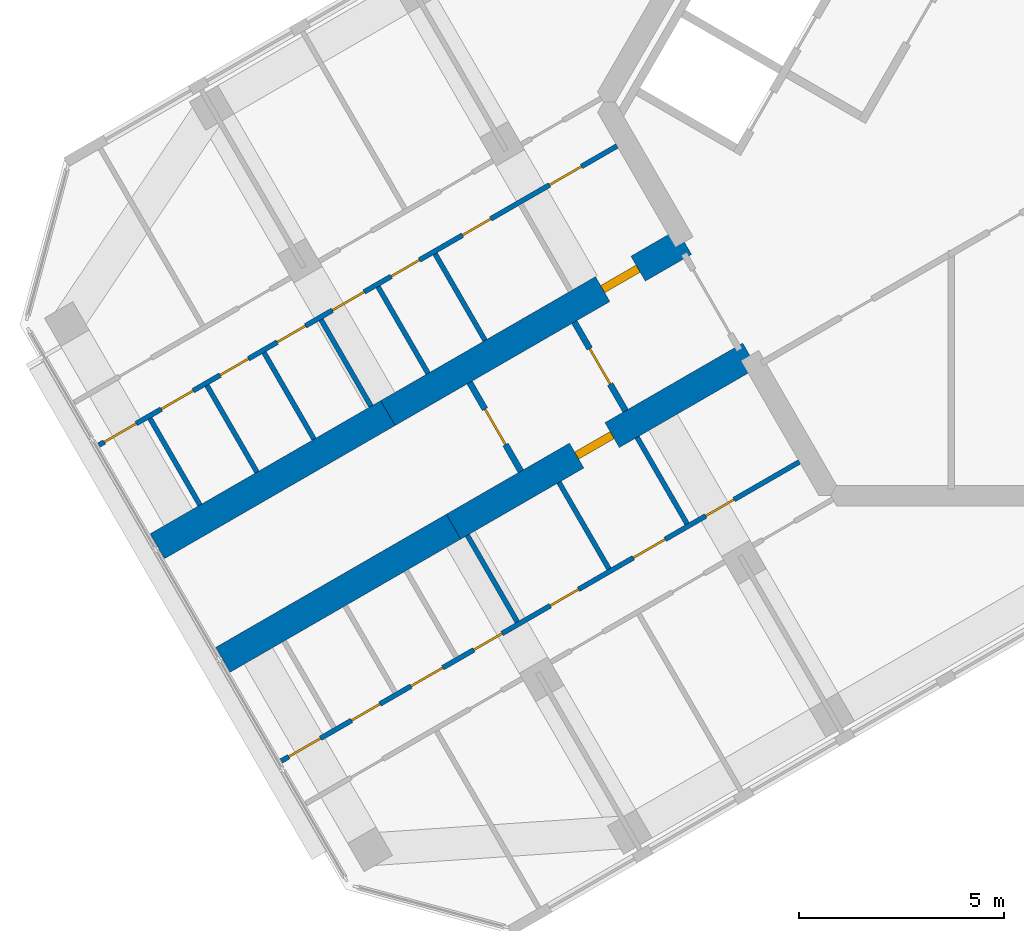
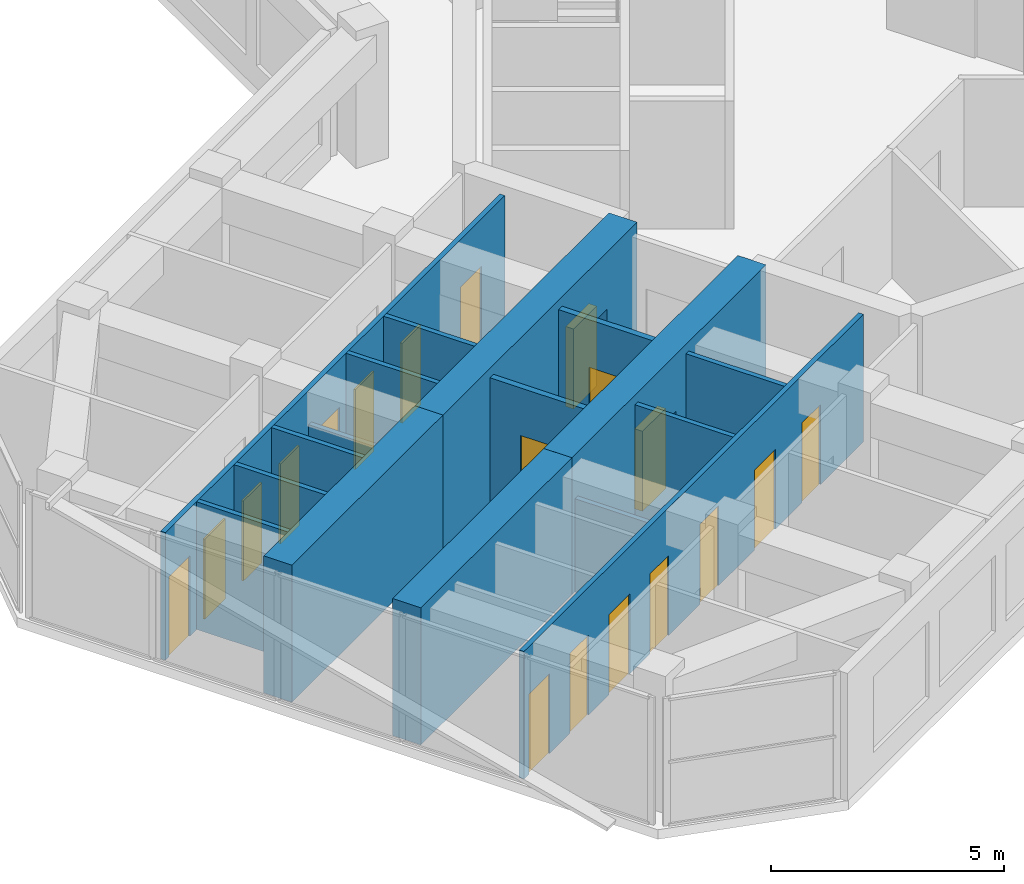
# One storey, part 7 of 14: 19 doors, 17 walls, 19 openings.
"""IFC4 building model written with IfcOpenShell, lengths in metres."""

from ifc_helpers import new_model, si_unit, direction, frame, frame_2d, origin, place, context, subcontext, project, spatial, rectangle, extrude, material, layer, layer_set, type_object, element, fill, save


model = new_model("IFC4")

# Units and contexts
model_context = context("Model", 3, precision=1e-05, world=origin(), true_north=direction((0.0, 1.0)))
body_context = subcontext(model_context, "Body", "Model", "MODEL_VIEW")
ifc_project = project(units=[si_unit("LENGTHUNIT", "METRE"), si_unit("AREAUNIT", "SQUARE_METRE"), si_unit("VOLUMEUNIT", "CUBIC_METRE"), si_unit("PLANEANGLEUNIT", "RADIAN"), si_unit("MASSUNIT", "GRAM", prefix="KILO")], contexts=[model_context])

# Site, building, storey
site_placement = place(None, origin())
site = spatial("IfcSite", under=ifc_project, at=site_placement, CompositionType="ELEMENT")
building_placement = place(site_placement, origin())
building = spatial("IfcBuilding", under=site, at=building_placement, Name="Kosmar Iwan School Tower", CompositionType="ELEMENT")
storey_placement = place(building_placement, frame((0.0, 0.0, 289.0)))
storey = spatial("IfcBuildingStorey", under=building, at=storey_placement, Name="L73", CompositionType="ELEMENT", Elevation=289.0)

# Wall, opening, door
ifc_material_1 = material(Name="Concrete C50/60", Category="concrete")
ifc_layer_1 = layer(ifc_material_1, 0.699951171875)
ifc_layer_set_1 = layer_set([ifc_layer_1], Name="Corridor buttress wall 700")
wall_type_1 = type_object("IfcWallType", Name="Corridor buttress wall 700", PredefinedType="SHEAR", material=ifc_layer_set_1)
wall_1_placement = place(storey_placement, frame((-7.513916015625, -6.185546875, 0.0), z_axis=(0.0, 0.0, 1.0), x_axis=(-0.866019549707, -0.500010139422, 0.0)))
wall_1 = element("IfcWall", 1, at=wall_1_placement, inside=storey, type_object=wall_type_1, Name="Corridor wall BL", PredefinedType="SHEAR", context=body_context, shape_type="SweptSolid", body=[
    extrude(rectangle(XDim=8.349853515625, YDim=0.699951171875, at=frame_2d((4.1748046875, 0.0))), origin(), (0.0, 0.0, 1.0), 3.60009765625),
])
opening_1_placement = place(wall_1_placement, frame((3.8798828125, 0.0, 0.0)))
opening_1 = element("IfcOpeningElement", 2, at=opening_1_placement, cuts=wall_1, Name="Opening D1", PredefinedType="OPENING", context=body_context, shape_type="SweptSolid", body=[
    extrude(rectangle(XDim=1.0, YDim=2.10009765625, at=frame_2d((0.5, 1.050048828125))), frame((0.0, 0.362060546875, 0.0), z_axis=(0.0, -1.0, 0.0), x_axis=(1.0, 0.0, 0.0)), (0.0, 0.0, 1.0), 0.723876953125),
])
ifc_material_2 = material(Name="Timber fire door in steel frame", Category="steel")
door_type_1 = type_object("IfcDoorType", Name="Flat entrance door 1000x2100", OperationType="SINGLE_SWING_LEFT", PredefinedType="DOOR", material=ifc_material_2)
door_1_placement = place(opening_1_placement, origin())
door_1 = element("IfcDoor", 3, at=door_1_placement, inside=storey, type_object=door_type_1, Name="Flat L73-BL1 entrance door", OperationType="SINGLE_SWING_LEFT", OverallHeight=2.10009765625, OverallWidth=1.0, PredefinedType="DOOR", context=body_context, shape_type="SweptSolid", body=[
    extrude(rectangle(XDim=1.0, YDim=2.10009765625, at=frame_2d((0.5, 1.050048828125))), frame((0.0, 0.10009765625, 0.0), z_axis=(0.0, -1.0, 0.0), x_axis=(1.0, 0.0, 0.0)), (0.0, 0.0, 1.0), 0.199951171875),
])
fill(opening_1, door_1)

# Wall
wall_2_placement = place(storey_placement, frame((-14.7451171875, -10.360595703125, 0.0), z_axis=(0.0, 0.0, 1.0), x_axis=(-0.866027848477, -0.499995765644, 0.0)))
element("IfcWall", 4, at=wall_2_placement, inside=storey, type_object=wall_type_1, Name="Corridor wall BL bay 2", PredefinedType="SHEAR", context=body_context, shape_type="SweptSolid", body=[
    extrude(rectangle(XDim=6.4951171875, YDim=0.699951171875, at=frame_2d((3.24755859375, 0.0))), origin(), (0.0, 0.0, 1.0), 3.60009765625),
])

# Wall, opening, door
wall_3_placement = place(storey_placement, frame((-9.11376953125, -3.414306640625, 0.0), z_axis=(0.0, 0.0, 1.0), x_axis=(-0.866026859388, -0.499997478812, 0.0)))
wall_3 = element("IfcWall", 5, at=wall_3_placement, inside=storey, type_object=wall_type_1, Name="Corridor wall BR", PredefinedType="SHEAR", context=body_context, shape_type="SweptSolid", body=[
    extrude(rectangle(XDim=8.35009765625, YDim=0.699951171875, at=frame_2d((4.175048828125, 0.0))), origin(), (0.0, 0.0, 1.0), 3.60009765625),
])
opening_2_placement = place(wall_3_placement, frame((1.300048828125, 0.0, 0.0)))
opening_2 = element("IfcOpeningElement", 6, at=opening_2_placement, cuts=wall_3, Name="Opening D1", PredefinedType="OPENING", context=body_context, shape_type="SweptSolid", body=[
    extrude(rectangle(XDim=1.0, YDim=2.10009765625, at=frame_2d((0.5, 1.050048828125))), frame((0.0, 0.362060546875, 0.0), z_axis=(0.0, -1.0, 0.0), x_axis=(1.0, 0.0, 0.0)), (0.0, 0.0, 1.0), 0.723876953125),
])
door_2_placement = place(opening_2_placement, origin())
door_2 = element("IfcDoor", 7, at=door_2_placement, inside=storey, type_object=door_type_1, Name="Flat L73-BR1 entrance door", OperationType="SINGLE_SWING_RIGHT", OverallHeight=2.10009765625, OverallWidth=1.0, PredefinedType="DOOR", context=body_context, shape_type="SweptSolid", body=[
    extrude(rectangle(XDim=1.0, YDim=2.10009765625, at=frame_2d((0.5, 1.050048828125))), frame((0.0, 0.10009765625, 0.0), z_axis=(0.0, -1.0, 0.0), x_axis=(1.0, 0.0, 0.0)), (0.0, 0.0, 1.0), 0.199951171875),
])
fill(opening_2, door_2)

# Wall
wall_4_placement = place(storey_placement, frame((-16.34521484375, -7.58935546875, 0.0), z_axis=(0.0, 0.0, 1.0), x_axis=(-0.866018451174, -0.500012042081, 0.0)))
element("IfcWall", 8, at=wall_4_placement, inside=storey, type_object=wall_type_1, Name="Corridor wall BR bay 2", PredefinedType="SHEAR", context=body_context, shape_type="SweptSolid", body=[
    extrude(rectangle(XDim=6.494873046875, YDim=0.699951171875, at=frame_2d((3.24755859375, 0.0))), origin(), (0.0, 0.0, 1.0), 3.60009765625),
])

# Wall, opening, door
ifc_material_3 = material(Name="Gypsum board on steel studs, fire-rated", Category="steel")
ifc_layer_2 = layer(ifc_material_3, 0.14990234375)
ifc_layer_set_2 = layer_set([ifc_layer_2], Name="Corridor end wall 150")
wall_type_2 = type_object("IfcWallType", Name="Corridor end wall 150", PredefinedType="PARTITIONING", material=ifc_layer_set_2)
wall_5_placement = place(storey_placement, frame((-14.3515625, -6.842529296875, 0.0), z_axis=(0.0, 0.0, 1.0), x_axis=(0.500004234368, -0.866022959057, 0.0)))
wall_5 = element("IfcWall", 9, at=wall_5_placement, inside=storey, type_object=wall_type_2, Name="Partition L73-B-CE", PredefinedType="PARTITIONING", context=body_context, shape_type="SweptSolid", body=[
    extrude(rectangle(XDim=2.5, YDim=0.14990234375, at=frame_2d((1.25, 0.0))), origin(), (0.0, 0.0, 1.0), 3.35009765625),
])
opening_3_placement = place(wall_5_placement, frame((0.75, 0.0, 0.0)))
opening_3 = element("IfcOpeningElement", 10, at=opening_3_placement, cuts=wall_5, Name="Opening D13", PredefinedType="OPENING", context=body_context, shape_type="SweptSolid", body=[
    extrude(rectangle(XDim=1.0, YDim=2.10009765625, at=frame_2d((0.5, 1.050048828125))), frame((0.0, 0.0869140625, 0.0), z_axis=(0.0, -1.0, 0.0), x_axis=(1.0, 0.0, 0.0)), (0.0, 0.0, 1.0), 0.173828125),
])
ifc_material_4 = material(Name="Timber fire door with vision panel", Category="wood")
door_type_2 = type_object("IfcDoorType", Name="Corridor end door 1000x2100", OperationType="SINGLE_SWING_LEFT", PredefinedType="DOOR", material=ifc_material_4)
door_3_placement = place(opening_3_placement, origin())
door_3 = element("IfcDoor", 11, at=door_3_placement, inside=storey, type_object=door_type_2, Name="Prayer room door L73-B", OperationType="SINGLE_SWING_RIGHT", OverallHeight=2.10009765625, OverallWidth=1.0, PredefinedType="DOOR", context=body_context, shape_type="SweptSolid", body=[
    extrude(rectangle(XDim=1.0, YDim=2.10009765625, at=frame_2d((0.5, 1.050048828125))), frame((0.0, 0.02490234375, 0.0), z_axis=(0.0, -1.0, 0.0), x_axis=(1.0, 0.0, 0.0)), (0.0, 0.0, 1.0), 0.050048828125),
])
fill(opening_3, door_3)

wall_6_placement = place(storey_placement, frame((-11.796630859375, -5.367431640625, 0.0), z_axis=(0.0, 0.0, 1.0), x_axis=(0.500004234368, -0.866022959057, 0.0)))
wall_6 = element("IfcWall", 12, at=wall_6_placement, inside=storey, type_object=wall_type_2, Name="Partition L73-B-HW", PredefinedType="PARTITIONING", context=body_context, shape_type="SweptSolid", body=[
    extrude(rectangle(XDim=2.5, YDim=0.14990234375, at=frame_2d((1.25, 0.0))), origin(), (0.0, 0.0, 1.0), 3.35009765625),
])
opening_4_placement = place(wall_6_placement, frame((0.75, 0.0, 0.0)))
opening_4 = element("IfcOpeningElement", 13, at=opening_4_placement, cuts=wall_6, Name="Opening D13", PredefinedType="OPENING", context=body_context, shape_type="SweptSolid", body=[
    extrude(rectangle(XDim=1.0, YDim=2.10009765625, at=frame_2d((0.5, 1.050048828125))), frame((0.0, 0.0869140625, 0.0), z_axis=(0.0, -1.0, 0.0), x_axis=(1.0, 0.0, 0.0)), (0.0, 0.0, 1.0), 0.173828125),
])
door_4_placement = place(opening_4_placement, origin())
door_4 = element("IfcDoor", 14, at=door_4_placement, inside=storey, type_object=door_type_2, Name="Entrance door L73-B", OperationType="SINGLE_SWING_LEFT", OverallHeight=2.10009765625, OverallWidth=1.0, PredefinedType="DOOR", context=body_context, shape_type="SweptSolid", body=[
    extrude(rectangle(XDim=1.0, YDim=2.10009765625, at=frame_2d((0.5, 1.050048828125))), frame((0.0, 0.02490234375, 0.0), z_axis=(0.0, -1.0, 0.0), x_axis=(1.0, 0.0, 0.0)), (0.0, 0.0, 1.0), 0.050048828125),
])
fill(opening_4, door_4)

# Wall, openings, doors
ifc_material_5 = material(Name="Gypsum board on steel studs", Category="steel")
ifc_layer_3 = layer(ifc_material_5, 0.1201171875)
ifc_layer_set_3 = layer_set([ifc_layer_3], Name="Dwelling partition 120")
wall_type_3 = type_object("IfcWallType", Name="Dwelling partition 120", PredefinedType="PARTITIONING", material=ifc_layer_set_3)
wall_7_placement = place(storey_placement, frame((-6.305419921875, -8.77880859375, 0.0), z_axis=(0.0, 0.0, 1.0), x_axis=(-0.866022348096, -0.50000529257, 0.0)))
wall_7 = element("IfcWall", 15, at=wall_7_placement, inside=storey, type_object=wall_type_3, Name="Partition L73-BL1-W1", PredefinedType="PARTITIONING", context=body_context, shape_type="SweptSolid", body=[
    extrude(rectangle(XDim=14.594970703125, YDim=0.1201171875, at=frame_2d((7.29736328125, 0.0))), origin(), (0.0, 0.0, 1.0), 3.35009765625),
])
opening_5_placement = place(wall_7_placement, frame((1.840087890625, 0.0, 0.0)))
opening_5 = element("IfcOpeningElement", 16, at=opening_5_placement, cuts=wall_7, Name="Opening D3", PredefinedType="OPENING", context=body_context, shape_type="SweptSolid", body=[
    extrude(rectangle(XDim=0.800048828125, YDim=2.10009765625, at=frame_2d((0.39990234375, 1.050048828125))), frame((0.0, 0.072021484375, 0.0), z_axis=(0.0, -1.0, 0.0), x_axis=(1.0, 0.0, 0.0)), (0.0, 0.0, 1.0), 0.14404296875),
])
opening_6_placement = place(wall_7_placement, frame((3.780029296875, 0.0, 0.0)))
opening_6 = element("IfcOpeningElement", 17, at=opening_6_placement, cuts=wall_7, Name="Opening D2", PredefinedType="OPENING", context=body_context, shape_type="SweptSolid", body=[
    extrude(rectangle(XDim=0.89990234375, YDim=2.10009765625, at=frame_2d((0.449951171875, 1.050048828125))), frame((0.0, 0.072021484375, 0.0), z_axis=(0.0, -1.0, 0.0), x_axis=(1.0, 0.0, 0.0)), (0.0, 0.0, 1.0), 0.14404296875),
])
opening_7_placement = place(wall_7_placement, frame((6.221435546875, 0.0, 0.0)))
opening_7 = element("IfcOpeningElement", 18, at=opening_7_placement, cuts=wall_7, Name="Opening D3", PredefinedType="OPENING", context=body_context, shape_type="SweptSolid", body=[
    extrude(rectangle(XDim=0.800048828125, YDim=2.10009765625, at=frame_2d((0.39990234375, 1.050048828125))), frame((0.0, 0.072021484375, 0.0), z_axis=(0.0, -1.0, 0.0), x_axis=(1.0, 0.0, 0.0)), (0.0, 0.0, 1.0), 0.14404296875),
])
opening_8_placement = place(wall_7_placement, frame((8.37353515625, 0.0, 0.0)))
opening_8 = element("IfcOpeningElement", 19, at=opening_8_placement, cuts=wall_7, Name="Opening D3", PredefinedType="OPENING", context=body_context, shape_type="SweptSolid", body=[
    extrude(rectangle(XDim=0.800048828125, YDim=2.10009765625, at=frame_2d((0.39990234375, 1.050048828125))), frame((0.0, 0.072021484375, 0.0), z_axis=(0.0, -1.0, 0.0), x_axis=(1.0, 0.0, 0.0)), (0.0, 0.0, 1.0), 0.14404296875),
])
opening_9_placement = place(wall_7_placement, frame((10.04541015625, 0.0, 0.0)))
opening_9 = element("IfcOpeningElement", 20, at=opening_9_placement, cuts=wall_7, Name="Opening D2", PredefinedType="OPENING", context=body_context, shape_type="SweptSolid", body=[
    extrude(rectangle(XDim=0.89990234375, YDim=2.10009765625, at=frame_2d((0.449951171875, 1.050048828125))), frame((0.0, 0.072021484375, 0.0), z_axis=(0.0, -1.0, 0.0), x_axis=(1.0, 0.0, 0.0)), (0.0, 0.0, 1.0), 0.14404296875),
])
opening_10_placement = place(wall_7_placement, frame((11.8173828125, 0.0, 0.0)))
opening_10 = element("IfcOpeningElement", 21, at=opening_10_placement, cuts=wall_7, Name="Opening D3", PredefinedType="OPENING", context=body_context, shape_type="SweptSolid", body=[
    extrude(rectangle(XDim=0.800048828125, YDim=2.10009765625, at=frame_2d((0.39990234375, 1.050048828125))), frame((0.0, 0.072021484375, 0.0), z_axis=(0.0, -1.0, 0.0), x_axis=(1.0, 0.0, 0.0)), (0.0, 0.0, 1.0), 0.14404296875),
])
opening_11_placement = place(wall_7_placement, frame((13.489013671875, 0.0, 0.0)))
opening_11 = element("IfcOpeningElement", 22, at=opening_11_placement, cuts=wall_7, Name="Opening D2", PredefinedType="OPENING", context=body_context, shape_type="SweptSolid", body=[
    extrude(rectangle(XDim=0.89990234375, YDim=2.10009765625, at=frame_2d((0.449951171875, 1.050048828125))), frame((0.0, 0.072021484375, 0.0), z_axis=(0.0, -1.0, 0.0), x_axis=(1.0, 0.0, 0.0)), (0.0, 0.0, 1.0), 0.14404296875),
])
ifc_material_6 = material(Name="Timber door in timber frame", Category="wood")
door_type_3 = type_object("IfcDoorType", Name="Internal door 900x2100", OperationType="SINGLE_SWING_LEFT", PredefinedType="DOOR", material=ifc_material_6)
door_5_placement = place(opening_6_placement, origin())
door_5 = element("IfcDoor", 23, at=door_5_placement, inside=storey, type_object=door_type_3, Name="Entrance hall door L73-BL1-S2", OperationType="SINGLE_SWING_LEFT", OverallHeight=2.10009765625, OverallWidth=0.89990234375, PredefinedType="DOOR", context=body_context, shape_type="SweptSolid", body=[
    extrude(rectangle(XDim=0.89990234375, YDim=2.10009765625, at=frame_2d((0.449951171875, 1.050048828125))), frame((0.0, 0.02490234375, 0.0), z_axis=(0.0, -1.0, 0.0), x_axis=(1.0, 0.0, 0.0)), (0.0, 0.0, 1.0), 0.050048828125),
])
fill(opening_6, door_5)
door_6_placement = place(opening_9_placement, origin())
door_6 = element("IfcDoor", 24, at=door_6_placement, inside=storey, type_object=door_type_3, Name="Pantry door L73-BL1-S5", OperationType="SINGLE_SWING_RIGHT", OverallHeight=2.10009765625, OverallWidth=0.89990234375, PredefinedType="DOOR", context=body_context, shape_type="SweptSolid", body=[
    extrude(rectangle(XDim=0.89990234375, YDim=2.10009765625, at=frame_2d((0.449951171875, 1.050048828125))), frame((0.0, 0.02490234375, 0.0), z_axis=(0.0, -1.0, 0.0), x_axis=(1.0, 0.0, 0.0)), (0.0, 0.0, 1.0), 0.050048828125),
])
fill(opening_9, door_6)
door_7_placement = place(opening_11_placement, origin())
door_7 = element("IfcDoor", 25, at=door_7_placement, inside=storey, type_object=door_type_3, Name="Utility room door L73-BL1-S7", OperationType="SINGLE_SWING_RIGHT", OverallHeight=2.10009765625, OverallWidth=0.89990234375, PredefinedType="DOOR", context=body_context, shape_type="SweptSolid", body=[
    extrude(rectangle(XDim=0.89990234375, YDim=2.10009765625, at=frame_2d((0.449951171875, 1.050048828125))), frame((0.0, 0.02490234375, 0.0), z_axis=(0.0, -1.0, 0.0), x_axis=(1.0, 0.0, 0.0)), (0.0, 0.0, 1.0), 0.050048828125),
])
fill(opening_11, door_7)
ifc_material_7 = material(Name="Timber door in timber frame", Category="wood")
door_type_4 = type_object("IfcDoorType", Name="Sanitary room door 800x2100", OperationType="SINGLE_SWING_LEFT", PredefinedType="DOOR", material=ifc_material_7)
door_8_placement = place(opening_5_placement, origin())
door_8 = element("IfcDoor", 26, at=door_8_placement, inside=storey, type_object=door_type_4, Name="Store door L73-BL1-S1", OperationType="SINGLE_SWING_LEFT", OverallHeight=2.10009765625, OverallWidth=0.800048828125, PredefinedType="DOOR", context=body_context, shape_type="SweptSolid", body=[
    extrude(rectangle(XDim=0.800048828125, YDim=2.10009765625, at=frame_2d((0.39990234375, 1.050048828125))), frame((0.0, 0.02490234375, 0.0), z_axis=(0.0, -1.0, 0.0), x_axis=(1.0, 0.0, 0.0)), (0.0, 0.0, 1.0), 0.050048828125),
])
fill(opening_5, door_8)
door_9_placement = place(opening_7_placement, origin())
door_9 = element("IfcDoor", 27, at=door_9_placement, inside=storey, type_object=door_type_4, Name="Bathroom door L73-BL1-S3", OperationType="SINGLE_SWING_LEFT", OverallHeight=2.10009765625, OverallWidth=0.800048828125, PredefinedType="DOOR", context=body_context, shape_type="SweptSolid", body=[
    extrude(rectangle(XDim=0.800048828125, YDim=2.10009765625, at=frame_2d((0.39990234375, 1.050048828125))), frame((0.0, 0.02490234375, 0.0), z_axis=(0.0, -1.0, 0.0), x_axis=(1.0, 0.0, 0.0)), (0.0, 0.0, 1.0), 0.050048828125),
])
fill(opening_7, door_9)
door_10_placement = place(opening_8_placement, origin())
door_10 = element("IfcDoor", 28, at=door_10_placement, inside=storey, type_object=door_type_4, Name="Shower room door L73-BL1-S4", OperationType="SINGLE_SWING_RIGHT", OverallHeight=2.10009765625, OverallWidth=0.800048828125, PredefinedType="DOOR", context=body_context, shape_type="SweptSolid", body=[
    extrude(rectangle(XDim=0.800048828125, YDim=2.10009765625, at=frame_2d((0.39990234375, 1.050048828125))), frame((0.0, 0.02490234375, 0.0), z_axis=(0.0, -1.0, 0.0), x_axis=(1.0, 0.0, 0.0)), (0.0, 0.0, 1.0), 0.050048828125),
])
fill(opening_8, door_10)
door_11_placement = place(opening_10_placement, origin())
door_11 = element("IfcDoor", 29, at=door_11_placement, inside=storey, type_object=door_type_4, Name="WC door L73-BL1-S6", OperationType="SINGLE_SWING_RIGHT", OverallHeight=2.10009765625, OverallWidth=0.800048828125, PredefinedType="DOOR", context=body_context, shape_type="SweptSolid", body=[
    extrude(rectangle(XDim=0.800048828125, YDim=2.10009765625, at=frame_2d((0.39990234375, 1.050048828125))), frame((0.0, 0.02490234375, 0.0), z_axis=(0.0, -1.0, 0.0), x_axis=(1.0, 0.0, 0.0)), (0.0, 0.0, 1.0), 0.050048828125),
])
fill(opening_10, door_11)

# Walls
for number, where, z_axis, x_axis, name in (
    (30, (-10.26611328125, -8.1787109375, 0.0), (0.0, 0.0, 1.0), (0.500077547548, -0.865980627057, 0.0), "Partition L73-BL1-Y1"),
    (31, (-12.17138671875, -9.27880859375, 0.0), (0.0, 0.0, 1.0), (0.500077547548, -0.865980627057, 0.0), "Partition L73-BL1-Y2"),
):
    element("IfcWall", number, at=place(storey_placement, frame(where, z_axis=z_axis, x_axis=x_axis)), inside=storey, type_object=wall_type_3, Name=name, PredefinedType="PARTITIONING", context=body_context, shape_type="SweptSolid", body=[
        extrude(rectangle(XDim=2.43994140625, YDim=0.1201171875, at=frame_2d((1.219970703125, 0.0))), origin(), (0.0, 0.0, 1.0), 3.35009765625),
    ])
wall_8_placement = place(storey_placement, frame((-14.407958984375, -10.570068359375, 0.0), z_axis=(0.0, 0.0, 1.0), x_axis=(0.500002508028, -0.866023955769, 0.0)))
element("IfcWall", 32, at=wall_8_placement, inside=storey, type_object=wall_type_3, Name="Partition L73-BL1-Y3", PredefinedType="PARTITIONING", context=body_context, shape_type="SweptSolid", body=[
    extrude(rectangle(XDim=2.43994140625, YDim=0.1201171875, at=frame_2d((1.219970703125, 0.0))), origin(), (0.0, 0.0, 1.0), 2.449951171875),
])

# Wall, openings, doors
wall_9_placement = place(storey_placement, frame((-10.75537109375, -1.0712890625, 0.0), z_axis=(0.0, 0.0, 1.0), x_axis=(-0.866029591389, -0.499992746786, 0.0)))
wall_9 = element("IfcWall", 33, at=wall_9_placement, inside=storey, type_object=wall_type_3, Name="Partition L73-BR1-W1", PredefinedType="PARTITIONING", context=body_context, shape_type="SweptSolid", body=[
    extrude(rectangle(XDim=14.594970703125, YDim=0.1201171875, at=frame_2d((7.29736328125, 0.0))), origin(), (0.0, 0.0, 1.0), 3.35009765625),
])
opening_12_placement = place(wall_9_placement, frame((1.0, 0.0, 0.0)))
opening_12 = element("IfcOpeningElement", 34, at=opening_12_placement, cuts=wall_9, Name="Opening D2", PredefinedType="OPENING", context=body_context, shape_type="SweptSolid", body=[
    extrude(rectangle(XDim=0.89990234375, YDim=2.10009765625, at=frame_2d((0.449951171875, 1.050048828125))), frame((0.0, 0.072021484375, 0.0), z_axis=(0.0, -1.0, 0.0), x_axis=(1.0, 0.0, 0.0)), (0.0, 0.0, 1.0), 0.14404296875),
])
opening_13_placement = place(wall_9_placement, frame((3.554931640625, 0.0, 0.0)))
opening_13 = element("IfcOpeningElement", 35, at=opening_13_placement, cuts=wall_9, Name="Opening D3", PredefinedType="OPENING", context=body_context, shape_type="SweptSolid", body=[
    extrude(rectangle(XDim=0.800048828125, YDim=2.10009765625, at=frame_2d((0.39990234375, 1.050048828125))), frame((0.0, 0.072021484375, 0.0), z_axis=(0.0, -1.0, 0.0), x_axis=(1.0, 0.0, 0.0)), (0.0, 0.0, 1.0), 0.14404296875),
])
opening_14_placement = place(wall_9_placement, frame((5.563232421875, 0.0, 0.0)))
opening_14 = element("IfcOpeningElement", 36, at=opening_14_placement, cuts=wall_9, Name="Opening D3", PredefinedType="OPENING", context=body_context, shape_type="SweptSolid", body=[
    extrude(rectangle(XDim=0.800048828125, YDim=2.10009765625, at=frame_2d((0.39990234375, 1.050048828125))), frame((0.0, 0.072021484375, 0.0), z_axis=(0.0, -1.0, 0.0), x_axis=(1.0, 0.0, 0.0)), (0.0, 0.0, 1.0), 0.14404296875),
])
opening_15_placement = place(wall_9_placement, frame((7.1201171875, 0.0, 0.0)))
opening_15 = element("IfcOpeningElement", 37, at=opening_15_placement, cuts=wall_9, Name="Opening D2", PredefinedType="OPENING", context=body_context, shape_type="SweptSolid", body=[
    extrude(rectangle(XDim=0.89990234375, YDim=2.10009765625, at=frame_2d((0.449951171875, 1.050048828125))), frame((0.0, 0.072021484375, 0.0), z_axis=(0.0, -1.0, 0.0), x_axis=(1.0, 0.0, 0.0)), (0.0, 0.0, 1.0), 0.14404296875),
])
opening_16_placement = place(wall_9_placement, frame((8.776611328125, 0.0, 0.0)))
opening_16 = element("IfcOpeningElement", 38, at=opening_16_placement, cuts=wall_9, Name="Opening D3", PredefinedType="OPENING", context=body_context, shape_type="SweptSolid", body=[
    extrude(rectangle(XDim=0.800048828125, YDim=2.10009765625, at=frame_2d((0.39990234375, 1.050048828125))), frame((0.0, 0.072021484375, 0.0), z_axis=(0.0, -1.0, 0.0), x_axis=(1.0, 0.0, 0.0)), (0.0, 0.0, 1.0), 0.14404296875),
])
opening_17_placement = place(wall_9_placement, frame((10.38330078125, 0.0, 0.0)))
opening_17 = element("IfcOpeningElement", 39, at=opening_17_placement, cuts=wall_9, Name="Opening D3", PredefinedType="OPENING", context=body_context, shape_type="SweptSolid", body=[
    extrude(rectangle(XDim=0.800048828125, YDim=2.10009765625, at=frame_2d((0.39990234375, 1.050048828125))), frame((0.0, 0.072021484375, 0.0), z_axis=(0.0, -1.0, 0.0), x_axis=(1.0, 0.0, 0.0)), (0.0, 0.0, 1.0), 0.14404296875),
])
opening_18_placement = place(wall_9_placement, frame((11.93994140625, 0.0, 0.0)))
opening_18 = element("IfcOpeningElement", 40, at=opening_18_placement, cuts=wall_9, Name="Opening D2", PredefinedType="OPENING", context=body_context, shape_type="SweptSolid", body=[
    extrude(rectangle(XDim=0.89990234375, YDim=2.10009765625, at=frame_2d((0.449951171875, 1.050048828125))), frame((0.0, 0.072021484375, 0.0), z_axis=(0.0, -1.0, 0.0), x_axis=(1.0, 0.0, 0.0)), (0.0, 0.0, 1.0), 0.14404296875),
])
opening_19_placement = place(wall_9_placement, frame((13.546630859375, 0.0, 0.0)))
opening_19 = element("IfcOpeningElement", 41, at=opening_19_placement, cuts=wall_9, Name="Opening D2", PredefinedType="OPENING", context=body_context, shape_type="SweptSolid", body=[
    extrude(rectangle(XDim=0.89990234375, YDim=2.10009765625, at=frame_2d((0.449951171875, 1.050048828125))), frame((0.0, 0.072021484375, 0.0), z_axis=(0.0, -1.0, 0.0), x_axis=(1.0, 0.0, 0.0)), (0.0, 0.0, 1.0), 0.14404296875),
])
door_12_placement = place(opening_12_placement, origin())
door_12 = element("IfcDoor", 42, at=door_12_placement, inside=storey, type_object=door_type_3, Name="Entrance hall door L73-BR1-S1", OperationType="SINGLE_SWING_RIGHT", OverallHeight=2.10009765625, OverallWidth=0.89990234375, PredefinedType="DOOR", context=body_context, shape_type="SweptSolid", body=[
    extrude(rectangle(XDim=0.89990234375, YDim=2.10009765625, at=frame_2d((0.449951171875, 1.050048828125))), frame((0.0, 0.02490234375, 0.0), z_axis=(0.0, -1.0, 0.0), x_axis=(1.0, 0.0, 0.0)), (0.0, 0.0, 1.0), 0.050048828125),
])
fill(opening_12, door_12)
door_13_placement = place(opening_15_placement, origin())
door_13 = element("IfcDoor", 43, at=door_13_placement, inside=storey, type_object=door_type_3, Name="Pantry door L73-BR1-S4", OperationType="SINGLE_SWING_LEFT", OverallHeight=2.10009765625, OverallWidth=0.89990234375, PredefinedType="DOOR", context=body_context, shape_type="SweptSolid", body=[
    extrude(rectangle(XDim=0.89990234375, YDim=2.10009765625, at=frame_2d((0.449951171875, 1.050048828125))), frame((0.0, 0.02490234375, 0.0), z_axis=(0.0, -1.0, 0.0), x_axis=(1.0, 0.0, 0.0)), (0.0, 0.0, 1.0), 0.050048828125),
])
fill(opening_15, door_13)
door_14_placement = place(opening_18_placement, origin())
door_14 = element("IfcDoor", 44, at=door_14_placement, inside=storey, type_object=door_type_3, Name="Utility room door L73-BR1-S7", OperationType="SINGLE_SWING_RIGHT", OverallHeight=2.10009765625, OverallWidth=0.89990234375, PredefinedType="DOOR", context=body_context, shape_type="SweptSolid", body=[
    extrude(rectangle(XDim=0.89990234375, YDim=2.10009765625, at=frame_2d((0.449951171875, 1.050048828125))), frame((0.0, 0.02490234375, 0.0), z_axis=(0.0, -1.0, 0.0), x_axis=(1.0, 0.0, 0.0)), (0.0, 0.0, 1.0), 0.050048828125),
])
fill(opening_18, door_14)
door_15_placement = place(opening_19_placement, origin())
door_15 = element("IfcDoor", 45, at=door_15_placement, inside=storey, type_object=door_type_3, Name="Dressing room door L73-BR1-S8", OperationType="SINGLE_SWING_RIGHT", OverallHeight=2.10009765625, OverallWidth=0.89990234375, PredefinedType="DOOR", context=body_context, shape_type="SweptSolid", body=[
    extrude(rectangle(XDim=0.89990234375, YDim=2.10009765625, at=frame_2d((0.449951171875, 1.050048828125))), frame((0.0, 0.02490234375, 0.0), z_axis=(0.0, -1.0, 0.0), x_axis=(1.0, 0.0, 0.0)), (0.0, 0.0, 1.0), 0.050048828125),
])
fill(opening_19, door_15)
door_16_placement = place(opening_13_placement, origin())
door_16 = element("IfcDoor", 46, at=door_16_placement, inside=storey, type_object=door_type_4, Name="Bathroom door L73-BR1-S2", OperationType="SINGLE_SWING_LEFT", OverallHeight=2.10009765625, OverallWidth=0.800048828125, PredefinedType="DOOR", context=body_context, shape_type="SweptSolid", body=[
    extrude(rectangle(XDim=0.800048828125, YDim=2.10009765625, at=frame_2d((0.39990234375, 1.050048828125))), frame((0.0, 0.02490234375, 0.0), z_axis=(0.0, -1.0, 0.0), x_axis=(1.0, 0.0, 0.0)), (0.0, 0.0, 1.0), 0.050048828125),
])
fill(opening_13, door_16)
door_17_placement = place(opening_14_placement, origin())
door_17 = element("IfcDoor", 47, at=door_17_placement, inside=storey, type_object=door_type_4, Name="Shower room door L73-BR1-S3", OperationType="SINGLE_SWING_RIGHT", OverallHeight=2.10009765625, OverallWidth=0.800048828125, PredefinedType="DOOR", context=body_context, shape_type="SweptSolid", body=[
    extrude(rectangle(XDim=0.800048828125, YDim=2.10009765625, at=frame_2d((0.39990234375, 1.050048828125))), frame((0.0, 0.02490234375, 0.0), z_axis=(0.0, -1.0, 0.0), x_axis=(1.0, 0.0, 0.0)), (0.0, 0.0, 1.0), 0.050048828125),
])
fill(opening_14, door_17)
door_18_placement = place(opening_16_placement, origin())
door_18 = element("IfcDoor", 48, at=door_18_placement, inside=storey, type_object=door_type_4, Name="WC door L73-BR1-S5", OperationType="SINGLE_SWING_RIGHT", OverallHeight=2.10009765625, OverallWidth=0.800048828125, PredefinedType="DOOR", context=body_context, shape_type="SweptSolid", body=[
    extrude(rectangle(XDim=0.800048828125, YDim=2.10009765625, at=frame_2d((0.39990234375, 1.050048828125))), frame((0.0, 0.02490234375, 0.0), z_axis=(0.0, -1.0, 0.0), x_axis=(1.0, 0.0, 0.0)), (0.0, 0.0, 1.0), 0.050048828125),
])
fill(opening_16, door_18)
door_19_placement = place(opening_17_placement, origin())
door_19 = element("IfcDoor", 49, at=door_19_placement, inside=storey, type_object=door_type_4, Name="Store door L73-BR1-S6", OperationType="SINGLE_SWING_LEFT", OverallHeight=2.10009765625, OverallWidth=0.800048828125, PredefinedType="DOOR", context=body_context, shape_type="SweptSolid", body=[
    extrude(rectangle(XDim=0.800048828125, YDim=2.10009765625, at=frame_2d((0.39990234375, 1.050048828125))), frame((0.0, 0.02490234375, 0.0), z_axis=(0.0, -1.0, 0.0), x_axis=(1.0, 0.0, 0.0)), (0.0, 0.0, 1.0), 0.050048828125),
])
fill(opening_17, door_19)

# Walls
for number, where, z_axis, x_axis, name in (
    (50, (-13.97412109375, -5.816162109375, 0.0), (0.0, 0.0, 1.0), (-0.500002508028, 0.866023955769, 0.0), "Partition L73-BR1-Y2"),
    (51, (-15.365478515625, -6.61962890625, 0.0), (0.0, 0.0, 1.0), (-0.500002508028, 0.866023955769, 0.0), "Partition L73-BR1-Y3"),
):
    element("IfcWall", number, at=place(storey_placement, frame(where, z_axis=z_axis, x_axis=x_axis)), inside=storey, type_object=wall_type_3, Name=name, PredefinedType="PARTITIONING", context=body_context, shape_type="SweptSolid", body=[
        extrude(rectangle(XDim=2.43994140625, YDim=0.1201171875, at=frame_2d((1.219970703125, 0.0))), origin(), (0.0, 0.0, 1.0), 3.35009765625),
    ])
wall_10_placement = place(storey_placement, frame((-16.7568359375, -7.4228515625, 0.0), z_axis=(0.0, 0.0, 1.0), x_axis=(-0.500002508028, 0.866023955769, 0.0)))
element("IfcWall", 52, at=wall_10_placement, inside=storey, type_object=wall_type_3, Name="Partition L73-BR1-Y4", PredefinedType="PARTITIONING", context=body_context, shape_type="SweptSolid", body=[
    extrude(rectangle(XDim=2.43994140625, YDim=0.1201171875, at=frame_2d((1.219970703125, 0.0))), origin(), (0.0, 0.0, 1.0), 2.449951171875),
])
wall_11_placement = place(storey_placement, frame((-18.148193359375, -8.226318359375, 0.0), z_axis=(0.0, 0.0, 1.0), x_axis=(-0.500034220881, 0.866005645448, 0.0)))
element("IfcWall", 53, at=wall_11_placement, inside=storey, type_object=wall_type_3, Name="Partition L73-BR1-Y5", PredefinedType="PARTITIONING", context=body_context, shape_type="SweptSolid", body=[
    extrude(rectangle(XDim=2.440185546875, YDim=0.1201171875, at=frame_2d((1.22021484375, 0.0))), origin(), (0.0, 0.0, 1.0), 3.35009765625),
])
wall_12_placement = place(storey_placement, frame((-19.539794921875, -9.029541015625, 0.0), z_axis=(0.0, 0.0, 1.0), x_axis=(-0.500002508028, 0.866023955769, 0.0)))
element("IfcWall", 54, at=wall_12_placement, inside=storey, type_object=wall_type_3, Name="Partition L73-BR1-Y6", PredefinedType="PARTITIONING", context=body_context, shape_type="SweptSolid", body=[
    extrude(rectangle(XDim=2.43994140625, YDim=0.1201171875, at=frame_2d((1.219970703125, 0.0))), origin(), (0.0, 0.0, 1.0), 3.35009765625),
])
wall_13_placement = place(storey_placement, frame((-20.93115234375, -9.8330078125, 0.0), z_axis=(0.0, 0.0, 1.0), x_axis=(-0.499959183527, 0.866048967903, 0.0)))
element("IfcWall", 55, at=wall_13_placement, inside=storey, type_object=wall_type_3, Name="Partition L73-BR1-Y7", PredefinedType="PARTITIONING", context=body_context, shape_type="SweptSolid", body=[
    extrude(rectangle(XDim=2.440185546875, YDim=0.1201171875, at=frame_2d((1.22021484375, 0.0))), origin(), (0.0, 0.0, 1.0), 3.35009765625),
])

save(model, "model.ifc")
